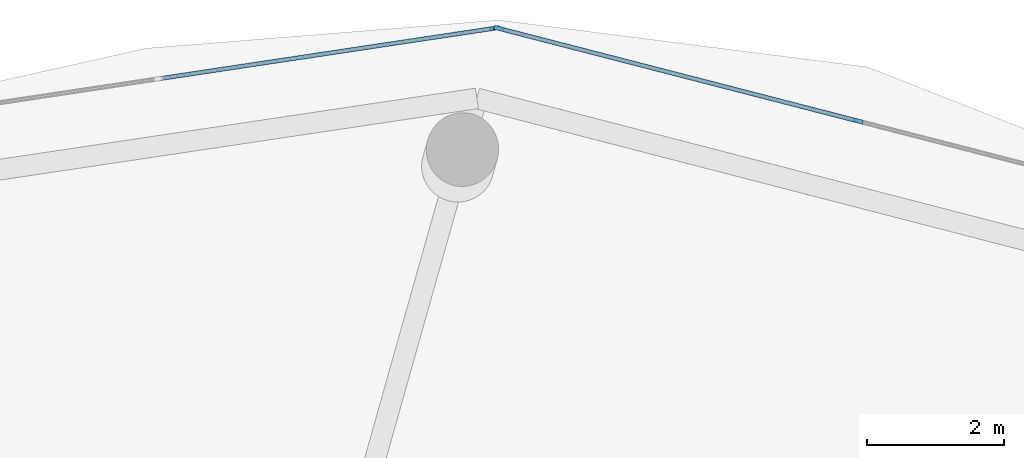
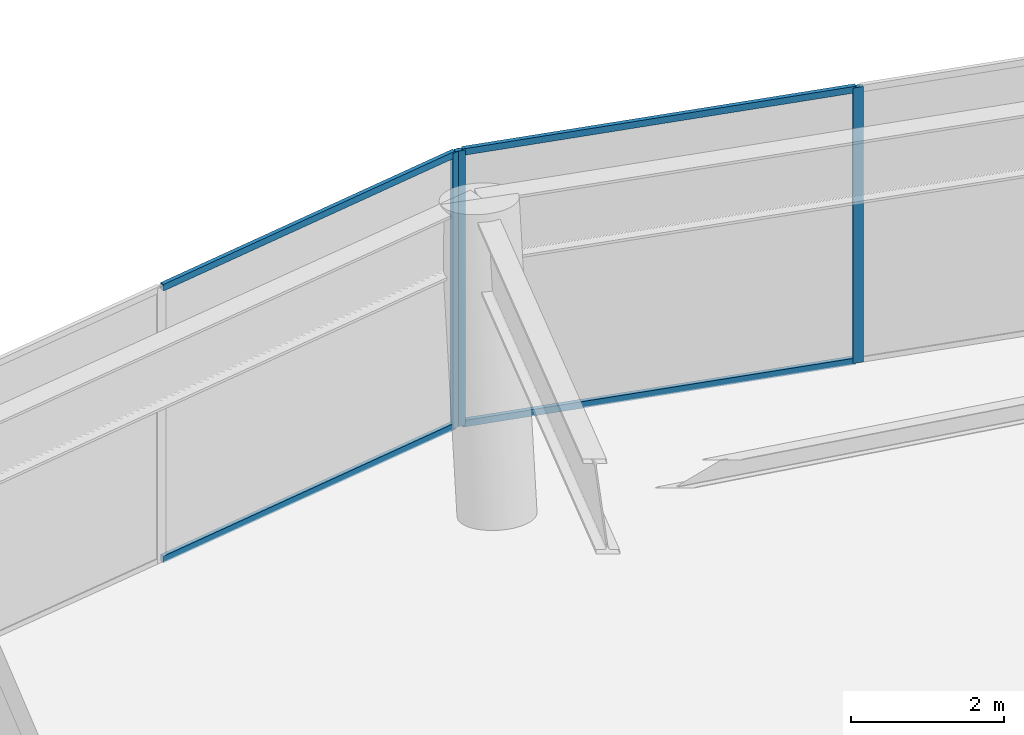
# One storey, part 15 of 22: 7 members, 2 elements without a shape of their own.
"""IFC4 building model written with IfcOpenShell, lengths in metres."""

from ifc_helpers import new_model, si_unit, direction, frame, origin, origin_2d, place, context, subcontext, project, spatial, rectangle, extrude, material, layer, layer_set, material_profile, profile_set, type_object, element, aggregate, save


model = new_model("IFC4")

# Units and contexts
model_context = context("Model", 3, precision=1e-05, world=origin(), true_north=direction((0.0, 1.0)))
body_context = subcontext(model_context, "Body", "Model", "MODEL_VIEW")
ifc_project = project(units=[si_unit("LENGTHUNIT", "METRE"), si_unit("AREAUNIT", "SQUARE_METRE"), si_unit("VOLUMEUNIT", "CUBIC_METRE"), si_unit("PLANEANGLEUNIT", "RADIAN"), si_unit("MASSUNIT", "GRAM", prefix="KILO")], contexts=[model_context])

# Site, building, storey
site_placement = place(None, origin())
site = spatial("IfcSite", under=ifc_project, at=site_placement, CompositionType="ELEMENT")
building_placement = place(site_placement, origin())
building = spatial("IfcBuilding", under=site, at=building_placement, Name="Kazma Halo Residences", CompositionType="ELEMENT")
storey_placement = place(building_placement, frame((0.0, 0.0, 231.89990234375)))
storey = spatial("IfcBuildingStorey", under=building, at=storey_placement, Name="L58", CompositionType="ELEMENT", Elevation=231.89990234375)

# Curtain wall, members
ifc_material_1 = material(Name="Aluminium AW-6063 T6 and Triple-Silver Low-E Glass", Category="aluminium")
ifc_layer = layer(ifc_material_1, 0.139892578125)
ifc_layer_set = layer_set([ifc_layer], Name="Aluminium AW-6063 T6 and Triple-Silver Low-E Glass")
curtain_wall_type = type_object("IfcCurtainWallType", Name="CW-SYS-5", PredefinedType="NOTDEFINED", material=ifc_layer_set)
curtain_wall_1_placement = place(storey_placement, origin())
curtain_wall_1 = element("IfcCurtainWall", 1, at=curtain_wall_1_placement, inside=storey, type_object=curtain_wall_type, Name="L58 unitised curtain wall B02", PredefinedType="NOTDEFINED")
ifc_material_2 = material(Name="Aluminium AW-6063 T6", Category="aluminium")
ifc_material_profile_1 = material_profile(ifc_material_2, rectangle(XDim=0.06005859375, YDim=0.139892578125, at=origin_2d()), Name="CWM-60x140")
ifc_profile_set_1 = profile_set([ifc_material_profile_1], Name="Aluminium AW-6063 T6")
member_type_1 = type_object("IfcMemberType", Name="CW-SYS-5-MUL", PredefinedType="MULLION", material=ifc_profile_set_1)
member_1_placement = place(storey_placement, frame((60.3134765625, 65.6494140625, 0.0), z_axis=(0.0, 0.0, 1.0), x_axis=(-0.249566561617, -0.96835764639, 0.0)))
member_1 = element("IfcMember", 2, at=member_1_placement, type_object=member_type_1, Name="CWS-5 mullion 2", PredefinedType="MULLION", context=body_context, shape_type="SweptSolid", body=[
    extrude(rectangle(XDim=0.06005859375, YDim=0.139892578125, at=origin_2d()), origin(), (0.0, 0.0, 1.0), 4.400146484375),
])
member_2_placement = place(storey_placement, frame((55.081298828125, 66.997802734375, 0.0), z_axis=(0.0, 0.0, 1.0), x_axis=(-0.249566561617, -0.96835764639, 0.0)))
member_2 = element("IfcMember", 3, at=member_2_placement, type_object=member_type_1, Name="CWS-5 mullion 3", PredefinedType="MULLION", context=body_context, shape_type="SweptSolid", body=[
    extrude(rectangle(XDim=0.06005859375, YDim=0.139892578125, at=origin_2d()), origin(), (0.0, 0.0, 1.0), 4.400146484375),
])

# Curtain wall, member
curtain_wall_2_placement = place(storey_placement, origin())
curtain_wall_2 = element("IfcCurtainWall", 4, at=curtain_wall_2_placement, inside=storey, type_object=curtain_wall_type, Name="L58 unitised curtain wall B03", PredefinedType="NOTDEFINED")
member_3_placement = place(storey_placement, frame((55.0224609375, 67.0009765625, 0.0), z_axis=(0.0, 0.0, 1.0), x_axis=(0.148733218613, -0.988877358261, 0.0)))
member_3 = element("IfcMember", 5, at=member_3_placement, type_object=member_type_1, Name="CWS-5 mullion 1", PredefinedType="MULLION", context=body_context, shape_type="SweptSolid", body=[
    extrude(rectangle(XDim=0.06005859375, YDim=0.139892578125, at=origin_2d()), origin(), (0.0, 0.0, 1.0), 4.400146484375),
])

# Member
ifc_material_profile_2 = material_profile(ifc_material_2, rectangle(XDim=0.06005859375, YDim=0.10498046875, at=origin_2d()), Name="CWT-60x105")
ifc_profile_set_2 = profile_set([ifc_material_profile_2], Name="Aluminium AW-6063 T6")
member_type_2 = type_object("IfcMemberType", Name="CW-SYS-5-TRN", PredefinedType="USERDEFINED", material=ifc_profile_set_2)
member_4_placement = place(storey_placement, frame((60.284423828125, 65.656982421875, 0.030029296875), z_axis=(-0.968356445339, 0.249571221839, 0.0), x_axis=(-0.249571221839, -0.968356445339, 0.0)))
member_4 = element("IfcMember", 6, at=member_4_placement, type_object=member_type_2, Name="CWS-5 transom 2.1", ObjectType="TRANSOM", PredefinedType="USERDEFINED", context=body_context, shape_type="SweptSolid", body=[
    extrude(rectangle(XDim=0.06005859375, YDim=0.10498046875, at=origin_2d()), origin(), (0.0, 0.0, 1.0), 5.34326171875),
])

member_5_placement = place(storey_placement, frame((60.284423828125, 65.656982421875, 4.3701171875), z_axis=(-0.968356445339, 0.249571221839, 0.0), x_axis=(-0.249571221839, -0.968356445339, 0.0)))
member_5 = element("IfcMember", 7, at=member_5_placement, type_object=member_type_2, Name="CWS-5 transom 2.2", ObjectType="TRANSOM", PredefinedType="USERDEFINED", context=body_context, shape_type="SweptSolid", body=[
    extrude(rectangle(XDim=0.06005859375, YDim=0.10498046875, at=origin_2d()), origin(), (0.0, 0.0, 1.0), 5.34326171875),
])

aggregate(curtain_wall_1, [member_1, member_2, member_4, member_5])

member_6_placement = place(storey_placement, frame((54.992919921875, 66.99658203125, 0.030029296875), z_axis=(-0.988871355513, -0.148773123402, 0.0), x_axis=(0.148773123402, -0.988871355513, 0.0)))
member_6 = element("IfcMember", 8, at=member_6_placement, type_object=member_type_2, Name="CWS-5 transom 1.1", ObjectType="TRANSOM", PredefinedType="USERDEFINED", context=body_context, shape_type="SweptSolid", body=[
    extrude(rectangle(XDim=0.06005859375, YDim=0.10498046875, at=origin_2d()), origin(), (0.0, 0.0, 1.0), 4.8837890625),
])

member_7_placement = place(storey_placement, frame((54.992919921875, 66.99658203125, 4.3701171875), z_axis=(-0.988871355513, -0.148773123402, 0.0), x_axis=(0.148773123402, -0.988871355513, 0.0)))
member_7 = element("IfcMember", 9, at=member_7_placement, type_object=member_type_2, Name="CWS-5 transom 1.2", ObjectType="TRANSOM", PredefinedType="USERDEFINED", context=body_context, shape_type="SweptSolid", body=[
    extrude(rectangle(XDim=0.06005859375, YDim=0.10498046875, at=origin_2d()), origin(), (0.0, 0.0, 1.0), 4.8837890625),
])

aggregate(curtain_wall_2, [member_3, member_6, member_7])

save(model, "model.ifc")
